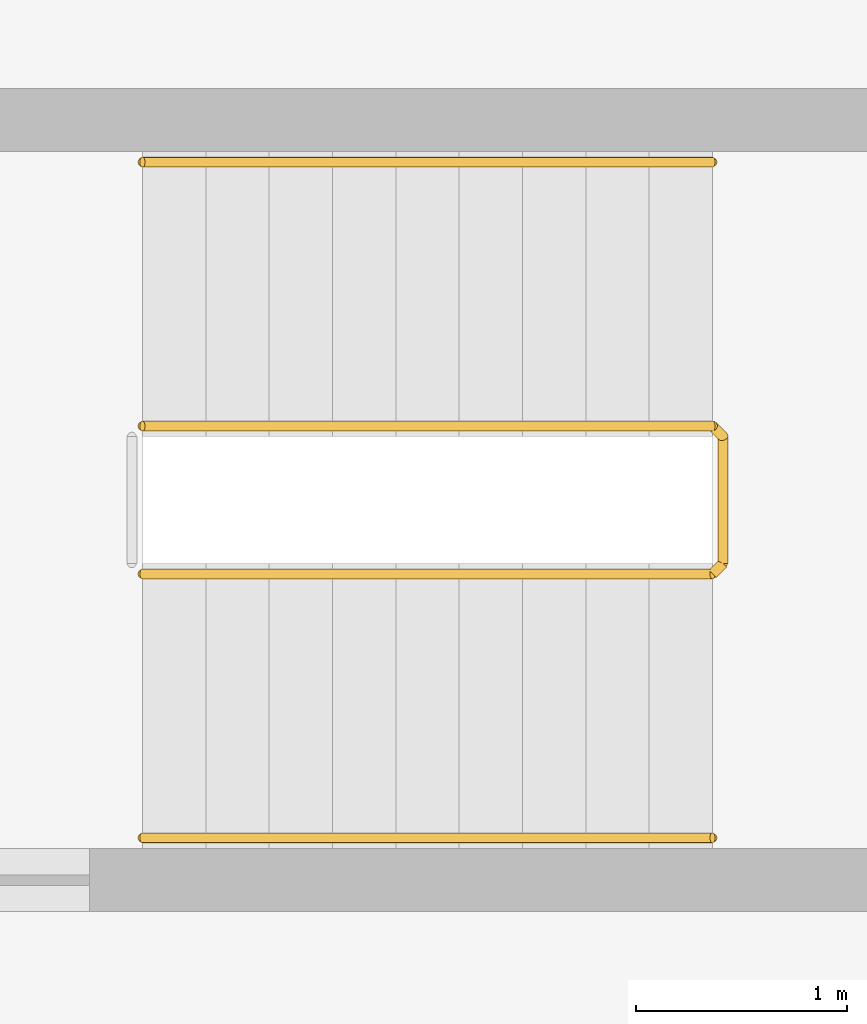
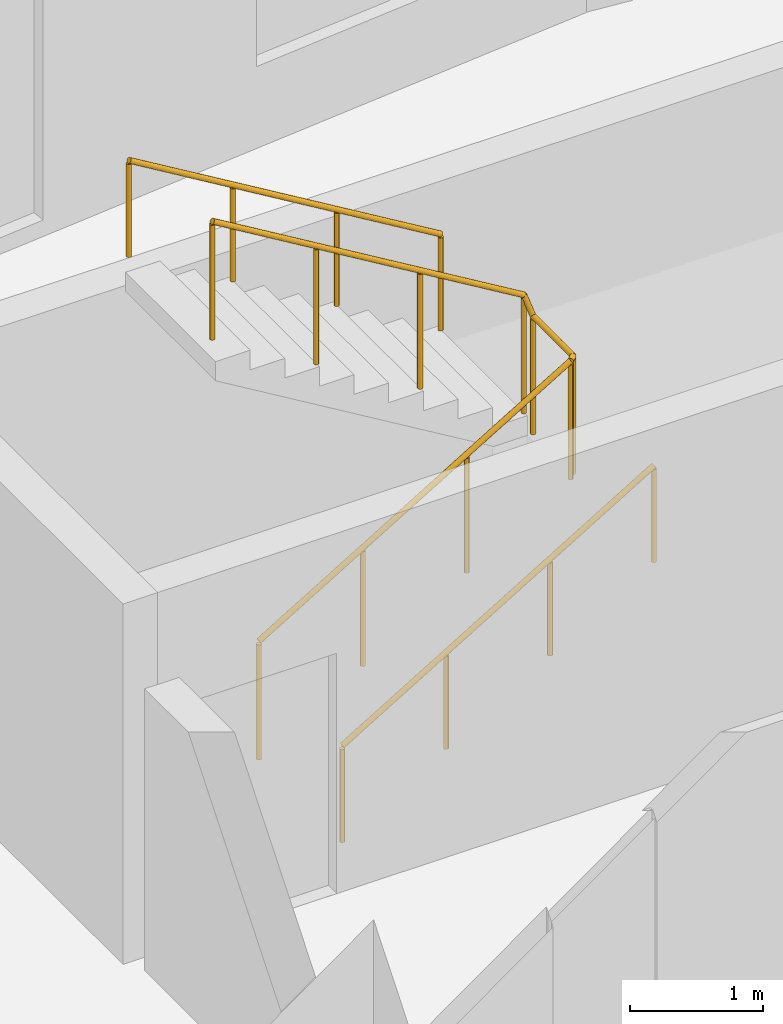
# One storey, part 12 of 12: 3 railings.
"""IFC4 building model written with IfcOpenShell, lengths in metres."""

from ifc_helpers import new_model, si_unit, direction, frame, origin, origin_2d, place, context, subcontext, project, spatial, circle, extrude, material, type_object, element, save


model = new_model("IFC4")

# Units and contexts
model_context = context("Model", 3, precision=1e-05, world=origin(), true_north=direction((0.0, 1.0)))
body_context = subcontext(model_context, "Body", "Model", "MODEL_VIEW")
ifc_project = project(units=[si_unit("LENGTHUNIT", "METRE"), si_unit("AREAUNIT", "SQUARE_METRE"), si_unit("VOLUMEUNIT", "CUBIC_METRE"), si_unit("PLANEANGLEUNIT", "RADIAN"), si_unit("MASSUNIT", "GRAM", prefix="KILO")], contexts=[model_context])

# Site, building, storey
site_placement = place(None, origin())
site = spatial("IfcSite", under=ifc_project, at=site_placement, CompositionType="ELEMENT")
building_placement = place(site_placement, origin())
building = spatial("IfcBuilding", under=site, at=building_placement, Name="Brondeck Convention Tower", CompositionType="ELEMENT")
storey_placement = place(building_placement, frame((0.0, 0.0, 77.10009765625)))
storey = spatial("IfcBuildingStorey", under=building, at=storey_placement, Name="L17", CompositionType="ELEMENT", Elevation=77.10009765625)

# Railings
ifc_material = material(Name="Steel S355", Category="steel")
railing_type_1 = type_object("IfcRailingType", Name="Stair guard 1100", PredefinedType="GUARDRAIL", material=ifc_material)
railing_1_placement = place(storey_placement, frame((37.85009765625, 55.449951171875, 0.179931640625)))
element("IfcRailing", 1, at=railing_1_placement, inside=storey, type_object=railing_type_1, Name="L17 ST-AE stair guard 1", PredefinedType="GUARDRAIL", context=body_context, shape_type="SweptSolid", body=[
    extrude(circle(Radius=0.02392578125, at=origin_2d()), frame((0.0, 0.0, 1.076171875), z_axis=(0.857506608807, 0.0, 0.514472949583), x_axis=(0.0, 1.0, 0.0)), (0.0, 0.0, 1.0), 3.148681640625),
    extrude(circle(Radius=0.02392578125, at=origin_2d()), frame((2.699951171875, 0.0, 2.69580078125), z_axis=(0.707106781187, 0.707106781187, 0.0), x_axis=(-0.707106781187, 0.707106781187, 0.0)), (0.0, 0.0, 1.0), 0.07080078125),
    extrude(circle(Radius=0.02392578125, at=origin_2d()), frame((2.75, 0.050048828125, 2.69580078125), z_axis=(0.0, 1.0, 0.0), x_axis=(-1.0, 0.0, 0.0)), (0.0, 0.0, 1.0), 0.60009765625),
    extrude(circle(Radius=0.02392578125, at=origin_2d()), frame((2.75, 0.650146484375, 2.69580078125), z_axis=(-0.258627984543, 0.257366384619, 0.931060744355), x_axis=(-0.705375805398, -0.708833529934, 0.0)), (0.0, 0.0, 1.0), 0.193603515625),
    extrude(circle(Radius=0.02392578125, at=origin_2d()), frame((2.699951171875, 0.699951171875, 2.8759765625), z_axis=(-0.857506608807, 0.0, 0.514472949583), x_axis=(0.0, -1.0, 0.0)), (0.0, 0.0, 1.0), 3.148681640625),
    extrude(circle(Radius=0.02099609375, at=origin_2d()), origin(), (0.0, 0.0, 1.0), 1.052001953125),
    extrude(circle(Radius=0.02099609375, at=origin_2d()), frame((0.89990234375, 0.0, 0.5400390625)), (0.0, 0.0, 1.0), 1.052001953125),
    extrude(circle(Radius=0.02099609375, at=origin_2d()), frame((1.800048828125, 0.0, 1.079833984375)), (0.0, 0.0, 1.0), 1.052001953125),
    extrude(circle(Radius=0.02099609375, at=origin_2d()), frame((2.699951171875, 0.0, 1.619873046875)), (0.0, 0.0, 1.0), 1.052001953125),
    extrude(circle(Radius=0.02099609375, at=origin_2d()), frame((2.75, 0.050048828125, 1.619873046875)), (0.0, 0.0, 1.0), 1.052001953125),
    extrude(circle(Radius=0.02099609375, at=origin_2d()), frame((2.75, 0.650146484375, 1.619873046875)), (0.0, 0.0, 1.0), 1.052001953125),
    extrude(circle(Radius=0.02099609375, at=origin_2d()), frame((2.699951171875, 0.699951171875, 1.800048828125)), (0.0, 0.0, 1.0), 1.052001953125),
    extrude(circle(Radius=0.02099609375, at=origin_2d()), frame((1.800048828125, 0.699951171875, 2.340087890625)), (0.0, 0.0, 1.0), 1.052001953125),
    extrude(circle(Radius=0.02099609375, at=origin_2d()), frame((0.89990234375, 0.699951171875, 2.8798828125)), (0.0, 0.0, 1.0), 1.052001953125),
    extrude(circle(Radius=0.02099609375, at=origin_2d()), frame((0.0, 0.699951171875, 3.419921875)), (0.0, 0.0, 1.0), 1.052001953125),
])
railing_type_2 = type_object("IfcRailingType", Name="Stair handrail", PredefinedType="HANDRAIL", material=ifc_material)
railing_2_placement = place(storey_placement, frame((37.85009765625, 54.199951171875, 0.179931640625)))
element("IfcRailing", 2, at=railing_2_placement, inside=storey, type_object=railing_type_2, Name="L17 ST-AE stair handrail 1", PredefinedType="HANDRAIL", context=body_context, shape_type="SweptSolid", body=[
    extrude(circle(Radius=0.02392578125, at=origin_2d()), frame((0.0, 0.0, 0.8759765625), z_axis=(0.857506608807, 0.0, 0.514472949583), x_axis=(0.0, 1.0, 0.0)), (0.0, 0.0, 1.0), 3.148681640625),
    extrude(circle(Radius=0.02099609375, at=origin_2d()), origin(), (0.0, 0.0, 1.0), 0.851806640625),
    extrude(circle(Radius=0.02099609375, at=origin_2d()), frame((0.89990234375, 0.0, 0.5400390625)), (0.0, 0.0, 1.0), 0.851806640625),
    extrude(circle(Radius=0.02099609375, at=origin_2d()), frame((1.800048828125, 0.0, 1.079833984375)), (0.0, 0.0, 1.0), 0.851806640625),
    extrude(circle(Radius=0.02099609375, at=origin_2d()), frame((2.699951171875, 0.0, 1.619873046875)), (0.0, 0.0, 1.0), 0.851806640625),
])
railing_3_placement = place(storey_placement, frame((40.550048828125, 57.39990234375, 1.97998046875)))
element("IfcRailing", 3, at=railing_3_placement, inside=storey, type_object=railing_type_2, Name="L17 ST-AE stair handrail 2", PredefinedType="HANDRAIL", context=body_context, shape_type="SweptSolid", body=[
    extrude(circle(Radius=0.02392578125, at=origin_2d()), frame((0.0, 0.0, 0.8759765625), z_axis=(-0.857506608807, 0.0, 0.514472949583), x_axis=(0.0, -1.0, 0.0)), (0.0, 0.0, 1.0), 3.148681640625),
    extrude(circle(Radius=0.02099609375, at=origin_2d()), origin(), (0.0, 0.0, 1.0), 0.851806640625),
    extrude(circle(Radius=0.02099609375, at=origin_2d()), frame((-0.89990234375, 0.0, 0.5400390625)), (0.0, 0.0, 1.0), 0.851806640625),
    extrude(circle(Radius=0.02099609375, at=origin_2d()), frame((-1.800048828125, 0.0, 1.079833984375)), (0.0, 0.0, 1.0), 0.851806640625),
    extrude(circle(Radius=0.02099609375, at=origin_2d()), frame((-2.699951171875, 0.0, 1.619873046875)), (0.0, 0.0, 1.0), 0.851806640625),
])

save(model, "model.ifc")
